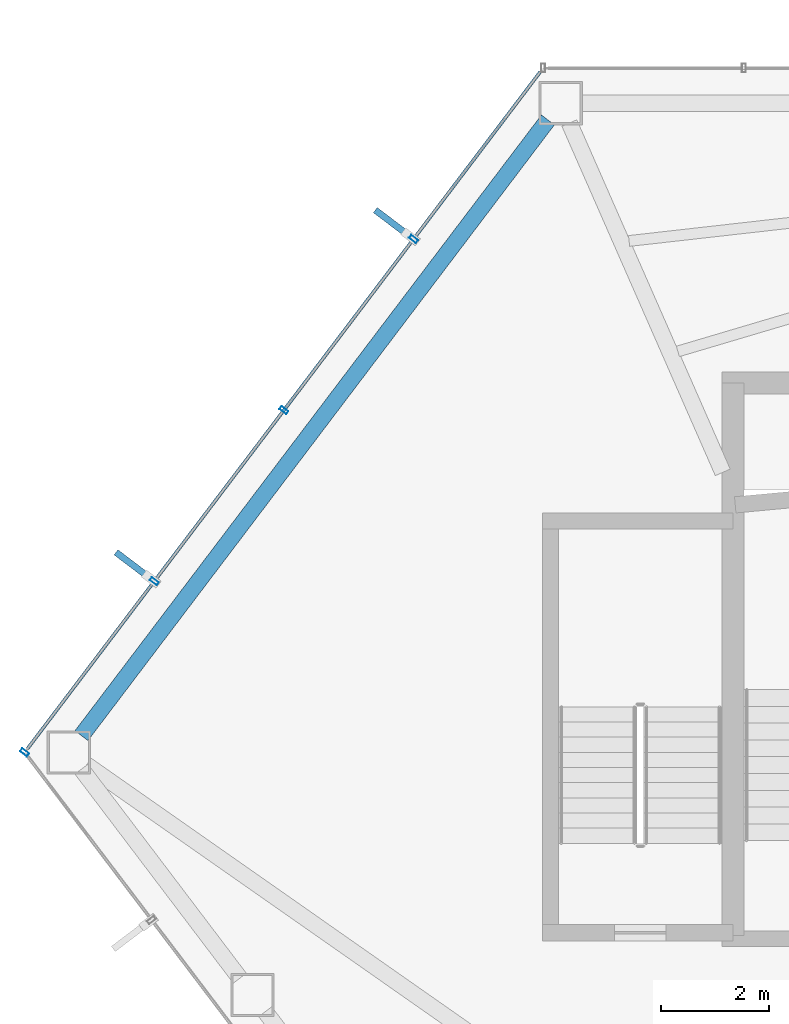
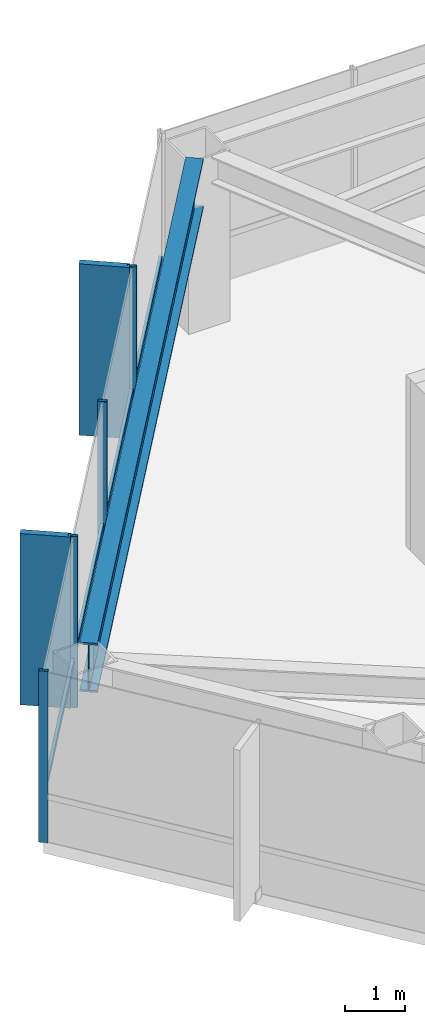
# One storey, part 10 of 28: 7 members, 1 beam, 1 element without a shape of its own.
"""IFC4 building model written with IfcOpenShell, lengths in metres."""

from ifc_helpers import new_model, si_unit, direction, frame, origin, origin_2d, place, context, subcontext, project, spatial, rectangle, hollow_rectangle, i_section, extrude, material, layer, layer_set, material_profile, profile_set, type_object, element, aggregate, save


model = new_model("IFC4")

# Units and contexts
model_context = context("Model", 3, precision=1e-05, world=origin(), true_north=direction((0.0, 1.0)))
body_context = subcontext(model_context, "Body", "Model", "MODEL_VIEW")
ifc_project = project(units=[si_unit("LENGTHUNIT", "METRE"), si_unit("AREAUNIT", "SQUARE_METRE"), si_unit("VOLUMEUNIT", "CUBIC_METRE"), si_unit("PLANEANGLEUNIT", "RADIAN"), si_unit("MASSUNIT", "GRAM", prefix="KILO")], contexts=[model_context])

# Site, building, storey
site_placement = place(None, origin())
site = spatial("IfcSite", under=ifc_project, at=site_placement, CompositionType="ELEMENT")
building_placement = place(site_placement, origin())
building = spatial("IfcBuilding", under=site, at=building_placement, Name="Zarrinselat Tower", CompositionType="ELEMENT")
storey_placement = place(building_placement, frame((0.0, 0.0, 123.419921875)))
storey = spatial("IfcBuildingStorey", under=building, at=storey_placement, Name="L29", CompositionType="ELEMENT", Elevation=123.419921875)

# Beam
ifc_material_1 = material(Name="Steel S460M", Category="steel")
ifc_material_profile_1 = material_profile(ifc_material_1, i_section(OverallWidth=0.302001953125, OverallDepth=1.008056640625, WebThickness=0.02099609375, FlangeThickness=0.0400390625, at=origin_2d()), Name="HEM 1000")
ifc_profile_set_1 = profile_set([ifc_material_profile_1], Name="Steel S460M")
beam_type = type_object("IfcBeamType", Name="BM-HEM1000", PredefinedType="BEAM", material=ifc_profile_set_1)
beam_placement = place(storey_placement, frame((16.5693359375, 36.938232421875, 2.99609375), z_axis=(0.603859994852, 0.79709040053, 0.0), x_axis=(-0.79709040053, 0.603859994852, 0.0)))
element("IfcBeam", 1, at=beam_placement, inside=storey, type_object=beam_type, Name="L29 Perimeter Spandrel Girder SP05", PredefinedType="BEAM", context=body_context, shape_type="SweptSolid", body=[
    extrude(i_section(OverallWidth=0.302001953125, OverallDepth=1.008056640625, WebThickness=0.02099609375, FlangeThickness=0.0400390625, at=origin_2d()), origin(), (0.0, 0.0, 1.0), 14.26318359375),
])

# Curtain wall, members
ifc_material_2 = material(Name="Extruded Aluminium Alloy EN AW-6063 T6", Category="aluminium")
ifc_layer = layer(ifc_material_2, 0.175048828125)
ifc_layer_set = layer_set([ifc_layer], Name="Extruded Aluminium Alloy EN AW-6063 T6")
curtain_wall_type = type_object("IfcCurtainWallType", Name="CWS-HTL", PredefinedType="NOTDEFINED", material=ifc_layer_set)
curtain_wall_placement = place(storey_placement, origin())
curtain_wall = element("IfcCurtainWall", 2, at=curtain_wall_placement, inside=storey, type_object=curtain_wall_type, Name="L29 Unitised Curtain Wall CW-L29-E02", PredefinedType="NOTDEFINED")
ifc_material_3 = material(Name="Extruded Aluminium Alloy EN AW-6063 T6", Category="aluminium")
ifc_material_profile_2 = material_profile(ifc_material_3, hollow_rectangle(XDim=0.070068359375, YDim=0.159912109375, WallThickness=0.00390625, at=origin_2d()), Name="RHS 160x70x4")
ifc_profile_set_2 = profile_set([ifc_material_profile_2], Name="Extruded Aluminium Alloy EN AW-6063 T6")
member_type_1 = type_object("IfcMemberType", Name="MEM-CW-MUL2", PredefinedType="MULLION", material=ifc_profile_set_2)
member_1_placement = place(storey_placement, frame((22.7001953125, 46.107421875, 0.0), z_axis=(0.0, 0.0, 1.0), x_axis=(-0.603858052292, -0.797091872172, 0.0)))
member_1 = element("IfcMember", 3, at=member_1_placement, type_object=member_type_1, Name="CW-L29-E02 Mullion 1", PredefinedType="MULLION", context=body_context, shape_type="SweptSolid", body=[
    extrude(hollow_rectangle(XDim=0.070068359375, YDim=0.159912109375, WallThickness=0.00390625, at=origin_2d()), origin(), (0.0, 0.0, 1.0), 3.5),
])
member_2_placement = place(storey_placement, frame((20.306640625, 42.94775390625, 0.0), z_axis=(0.0, 0.0, 1.0), x_axis=(-0.603858052292, -0.797091872172, 0.0)))
member_2 = element("IfcMember", 4, at=member_2_placement, type_object=member_type_1, Name="CW-L29-E02 Mullion 2", PredefinedType="MULLION", context=body_context, shape_type="SweptSolid", body=[
    extrude(hollow_rectangle(XDim=0.070068359375, YDim=0.159912109375, WallThickness=0.00390625, at=origin_2d()), origin(), (0.0, 0.0, 1.0), 3.5),
])
member_3_placement = place(storey_placement, frame((17.9130859375, 39.788330078125, 0.0), z_axis=(0.0, 0.0, 1.0), x_axis=(-0.603858052292, -0.797091872172, 0.0)))
member_3 = element("IfcMember", 5, at=member_3_placement, type_object=member_type_1, Name="CW-L29-E02 Mullion 3", PredefinedType="MULLION", context=body_context, shape_type="SweptSolid", body=[
    extrude(hollow_rectangle(XDim=0.070068359375, YDim=0.159912109375, WallThickness=0.00390625, at=origin_2d()), origin(), (0.0, 0.0, 1.0), 3.5),
])
member_4_placement = place(storey_placement, frame((15.51953125, 36.62890625, 0.0), z_axis=(0.0, 0.0, 1.0), x_axis=(-0.603858052292, -0.797091872172, 0.0)))
member_4 = element("IfcMember", 6, at=member_4_placement, type_object=member_type_1, Name="CW-L29-E02 Mullion 4", PredefinedType="MULLION", context=body_context, shape_type="SweptSolid", body=[
    extrude(hollow_rectangle(XDim=0.070068359375, YDim=0.159912109375, WallThickness=0.00390625, at=origin_2d()), origin(), (0.0, 0.0, 1.0), 3.5),
])
ifc_material_4 = material(Name="Extruded Aluminium Alloy EN AW-6063 T6", Category="aluminium")
ifc_material_profile_3 = material_profile(ifc_material_4, hollow_rectangle(XDim=0.06005859375, YDim=0.1201171875, WallThickness=0.00390625, at=origin_2d()), Name="RHS 120x60x4")
ifc_profile_set_3 = profile_set([ifc_material_profile_3], Name="Extruded Aluminium Alloy EN AW-6063 T6")
member_type_2 = type_object("IfcMemberType", Name="MEM-CW-TRN2", PredefinedType="USERDEFINED", material=ifc_profile_set_3)
member_5_placement = place(storey_placement, frame((25.039306640625, 49.195068359375, 0.9501953125), z_axis=(-0.603863085661, -0.797088058984, 0.0), x_axis=(0.797088058984, -0.603863085661, 0.0)))
member_5 = element("IfcMember", 7, at=member_5_placement, type_object=member_type_2, Name="CW-L29-E02 Transom 1", ObjectType="TRANSOM", PredefinedType="USERDEFINED", context=body_context, shape_type="SweptSolid", body=[
    extrude(hollow_rectangle(XDim=0.06005859375, YDim=0.1201171875, WallThickness=0.00390625, at=origin_2d()), origin(), (0.0, 0.0, 1.0), 15.675048828125),
])
ifc_material_5 = material(Name="Honed Cream Travertine Stone", Category="masonry")
ifc_material_profile_4 = material_profile(ifc_material_5, rectangle(XDim=0.1201171875, YDim=0.85009765625, at=origin_2d()), Name="FIN 850x120")
ifc_profile_set_4 = profile_set([ifc_material_profile_4], Name="Honed Cream Travertine Stone")
member_type_3 = type_object("IfcMemberType", Name="MEM-STONE-FIN", PredefinedType="USERDEFINED", material=ifc_profile_set_4)
member_6_placement = place(storey_placement, frame((22.33349609375, 46.385009765625, 0.0), z_axis=(0.0, 0.0, 1.0), x_axis=(0.603858052292, 0.797091872172, 0.0)))
member_6 = element("IfcMember", 8, at=member_6_placement, type_object=member_type_3, Name="L29 Stone Shading Fin CW-L29-E02-01", ObjectType="FIN", PredefinedType="USERDEFINED", context=body_context, shape_type="SweptSolid", body=[
    extrude(rectangle(XDim=0.1201171875, YDim=0.85009765625, at=origin_2d()), origin(), (0.0, 0.0, 1.0), 3.5),
])
member_7_placement = place(storey_placement, frame((17.54638671875, 40.066162109375, 0.0), z_axis=(0.0, 0.0, 1.0), x_axis=(0.603858052292, 0.797091872172, 0.0)))
member_7 = element("IfcMember", 9, at=member_7_placement, type_object=member_type_3, Name="L29 Stone Shading Fin CW-L29-E02-03", ObjectType="FIN", PredefinedType="USERDEFINED", context=body_context, shape_type="SweptSolid", body=[
    extrude(rectangle(XDim=0.1201171875, YDim=0.85009765625, at=origin_2d()), origin(), (0.0, 0.0, 1.0), 3.5),
])
aggregate(curtain_wall, [member_1, member_6, member_2, member_3, member_7, member_4, member_5])

save(model, "model.ifc")
